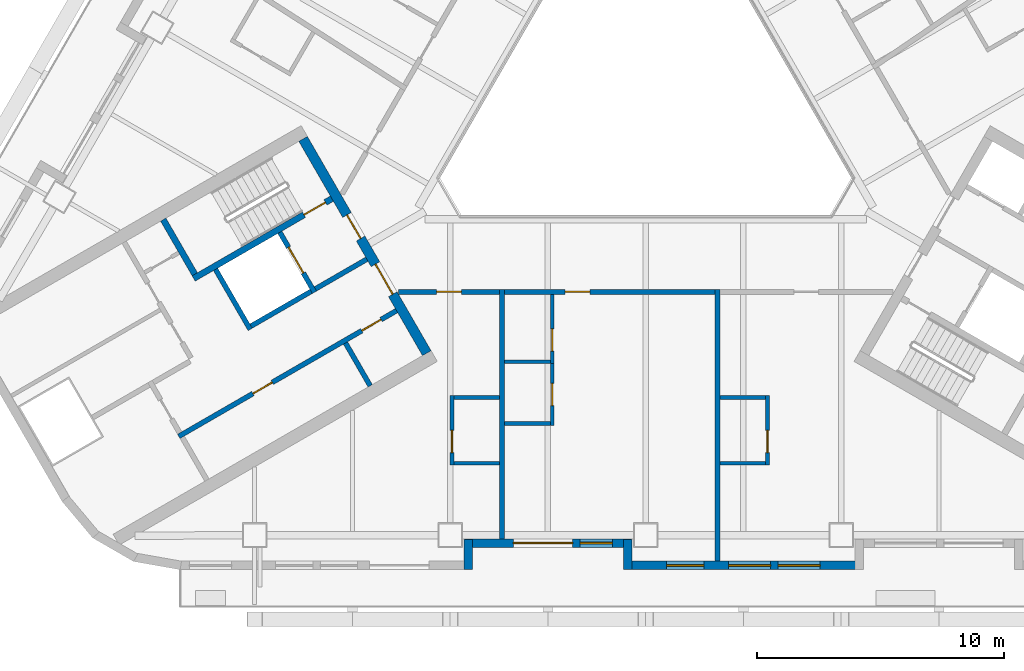
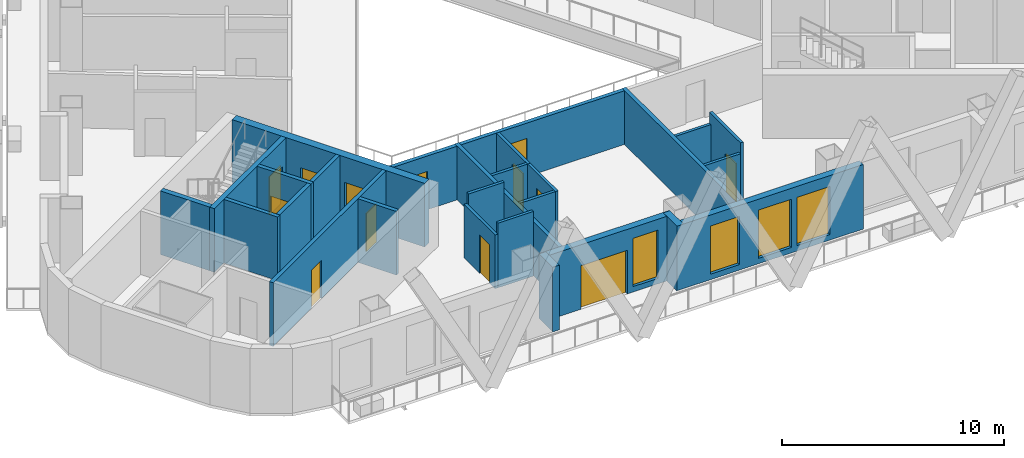
# One storey, part 3 of 14: 27 walls, 13 doors, 4 windows, 17 openings.
"""IFC4 building model written with IfcOpenShell, lengths in metres."""

from ifc_helpers import new_model, si_unit, direction, frame, frame_2d, origin, place, context, subcontext, project, spatial, rectangle, extrude, material, layer, layer_set, type_object, element, fill, save


model = new_model("IFC4")

# Units and contexts
model_context = context("Model", 3, precision=1e-05, world=origin(), true_north=direction((0.0, 1.0)))
body_context = subcontext(model_context, "Body", "Model", "MODEL_VIEW")
ifc_project = project(units=[si_unit("LENGTHUNIT", "METRE"), si_unit("AREAUNIT", "SQUARE_METRE"), si_unit("VOLUMEUNIT", "CUBIC_METRE"), si_unit("PLANEANGLEUNIT", "RADIAN"), si_unit("MASSUNIT", "GRAM", prefix="KILO")], contexts=[model_context])

# Site, building, storey
site_placement = place(None, origin())
site = spatial("IfcSite", under=ifc_project, at=site_placement, CompositionType="ELEMENT")
building_placement = place(site_placement, origin())
building = spatial("IfcBuilding", under=site, at=building_placement, Name="Apuvela Tower Hotel", CompositionType="ELEMENT")
storey_placement = place(building_placement, frame((0.0, 0.0, 53.89990234375)))
storey = spatial("IfcBuildingStorey", under=building, at=storey_placement, Name="L10", CompositionType="ELEMENT", Elevation=53.89990234375)

# Wall, openings, doors
ifc_material_1 = material(Name="Concrete C50/60", Category="concrete")
ifc_layer_1 = layer(ifc_material_1, 0.39990234375)
ifc_layer_set_1 = layer_set([ifc_layer_1], Name="COR-WALL-CORE-400")
wall_type_1 = type_object("IfcWallType", Name="COR-WALL-CORE-400", PredefinedType="SHEAR", material=ifc_layer_set_1)
wall_1_placement = place(storey_placement, frame((-13.844970703125, -2.219970703125, 0.0), z_axis=(0.0, 0.0, 1.0), x_axis=(0.500004234368, -0.866022959057, 0.0)))
wall_1 = element("IfcWall", 1, at=wall_1_placement, inside=storey, type_object=wall_type_1, Name="Core wall SW", PredefinedType="SHEAR", context=body_context, shape_type="SweptSolid", body=[
    extrude(rectangle(XDim=10.0, YDim=0.39990234375, at=frame_2d((5.0, 0.0))), origin(), (0.0, 0.0, 1.0), 3.5),
])
opening_1_placement = place(wall_1_placement, frame((3.550048828125, 0.0, 0.0)))
opening_1 = element("IfcOpeningElement", 2, at=opening_1_placement, cuts=wall_1, Name="Opening W-FD", PredefinedType="OPENING", context=body_context, shape_type="SweptSolid", body=[
    extrude(rectangle(XDim=1.10009765625, YDim=2.10009765625, at=frame_2d((0.550048828125, 1.050048828125))), frame((0.0, 0.2099609375, 0.0), z_axis=(0.0, -1.0, 0.0), x_axis=(1.0, 0.0, 0.0)), (0.0, 0.0, 1.0), 0.419921875),
])
opening_2_placement = place(wall_1_placement, frame((5.85009765625, 0.0, 0.0)))
opening_2 = element("IfcOpeningElement", 3, at=opening_2_placement, cuts=wall_1, Name="Opening W-GD", PredefinedType="OPENING", context=body_context, shape_type="SweptSolid", body=[
    extrude(rectangle(XDim=1.39990234375, YDim=2.10009765625, at=frame_2d((0.699951171875, 1.050048828125))), frame((0.0, 0.2099609375, 0.0), z_axis=(0.0, -1.0, 0.0), x_axis=(1.0, 0.0, 0.0)), (0.0, 0.0, 1.0), 0.419921875),
])
ifc_material_2 = material(Name="Steel fire door, powder coated", Category="steel")
door_type_1 = type_object("IfcDoorType", Name="COR-FD-1100", OperationType="NOTDEFINED", PredefinedType="DOOR", material=ifc_material_2)
door_1_placement = place(opening_1_placement, frame((1.10009765625, 0.0, 0.0), z_axis=(0.0, 0.0, 1.0), x_axis=(-1.0, 0.0, 0.0)))
door_1 = element("IfcDoor", 4, at=door_1_placement, inside=storey, type_object=door_type_1, Name="Firefighting lobby door W-FD", OperationType="SINGLE_SWING_LEFT", OverallHeight=2.10009765625, OverallWidth=1.10009765625, PredefinedType="DOOR", context=body_context, shape_type="SweptSolid", body=[
    extrude(rectangle(XDim=1.10009765625, YDim=2.10009765625, at=frame_2d((0.550048828125, 1.050048828125))), frame((0.0, 0.02490234375, 0.0), z_axis=(0.0, -1.0, 0.0), x_axis=(1.0, 0.0, 0.0)), (0.0, 0.0, 1.0), 0.050048828125),
])
fill(opening_1, door_1)
ifc_material_3 = material(Name="Glazed steel fire door", Category="steel")
door_type_2 = type_object("IfcDoorType", Name="COR-GD-1400", OperationType="DOUBLE_DOOR_SINGLE_SWING", PredefinedType="DOOR", material=ifc_material_3)
door_2_placement = place(opening_2_placement, frame((1.39990234375, 0.0, 0.0), z_axis=(0.0, 0.0, 1.0), x_axis=(-1.0, 0.0, 0.0)))
door_2 = element("IfcDoor", 5, at=door_2_placement, inside=storey, type_object=door_type_2, Name="Lift lobby door W-GD", OperationType="DOUBLE_DOOR_SINGLE_SWING", OverallHeight=2.10009765625, OverallWidth=1.39990234375, PredefinedType="DOOR", context=body_context, shape_type="SweptSolid", body=[
    extrude(rectangle(XDim=1.39990234375, YDim=2.10009765625, at=frame_2d((0.699951171875, 1.050048828125))), frame((0.0, 0.02490234375, 0.0), z_axis=(0.0, -1.0, 0.0), x_axis=(1.0, 0.0, 0.0)), (0.0, 0.0, 1.0), 0.050048828125),
])
fill(opening_2, door_2)

# Wall
ifc_layer_2 = layer(ifc_material_1, 0.199951171875)
ifc_layer_set_2 = layer_set([ifc_layer_2], Name="COR-WALL-SHAFT-200")
wall_type_2 = type_object("IfcWallType", Name="COR-WALL-SHAFT-200", PredefinedType="SHEAR", material=ifc_layer_set_2)
wall_2_placement = place(storey_placement, frame((-17.38134765625, -7.49462890625, 0.0), z_axis=(0.0, 0.0, 1.0), x_axis=(0.500011755427, -0.866018616679, 0.0)))
element("IfcWall", 6, at=wall_2_placement, inside=storey, type_object=wall_type_2, Name="Shaft wall SW", PredefinedType="SHEAR", context=body_context, shape_type="SweptSolid", body=[
    extrude(rectangle(XDim=2.80029296875, YDim=0.199951171875, at=frame_2d((1.400146484375, 0.0))), origin(), (0.0, 0.0, 1.0), 3.5),
])

# Wall, opening, door
wall_3_placement = place(storey_placement, frame((-14.783203125, -5.99462890625, 0.0), z_axis=(0.0, 0.0, 1.0), x_axis=(0.49994636267, -0.866056369097, 0.0)))
wall_3 = element("IfcWall", 7, at=wall_3_placement, inside=storey, type_object=wall_type_2, Name="Shaft wall SW", PredefinedType="SHEAR", context=body_context, shape_type="SweptSolid", body=[
    extrude(rectangle(XDim=2.800048828125, YDim=0.199951171875, at=frame_2d((1.39990234375, 0.0))), origin(), (0.0, 0.0, 1.0), 3.5),
])
opening_3_placement = place(wall_3_placement, frame((0.699951171875, 0.0, 0.0)))
opening_3 = element("IfcOpeningElement", 8, at=opening_3_placement, cuts=wall_3, Name="Opening W-LD-FS2", PredefinedType="OPENING", context=body_context, shape_type="SweptSolid", body=[
    extrude(rectangle(XDim=1.199951171875, YDim=2.10009765625, at=frame_2d((0.60009765625, 1.050048828125))), frame((0.0, 0.10986328125, 0.0), z_axis=(0.0, -1.0, 0.0), x_axis=(1.0, 0.0, 0.0)), (0.0, 0.0, 1.0), 0.219970703125),
])
ifc_material_4 = material(Name="Stainless steel lift landing door", Category="steel")
door_type_3 = type_object("IfcDoorType", Name="COR-LD-1200", OperationType="DOUBLE_DOOR_SLIDING", PredefinedType="DOOR", material=ifc_material_4)
door_3_placement = place(opening_3_placement, origin())
door_3 = element("IfcDoor", 9, at=door_3_placement, inside=storey, type_object=door_type_3, Name="Lift landing door W-LD-FS2", OperationType="DOUBLE_DOOR_SLIDING", OverallHeight=2.10009765625, OverallWidth=1.199951171875, PredefinedType="DOOR", context=body_context, shape_type="SweptSolid", body=[
    extrude(rectangle(XDim=1.199951171875, YDim=2.10009765625, at=frame_2d((0.60009765625, 1.050048828125))), frame((0.0, 0.02490234375, 0.0), z_axis=(0.0, -1.0, 0.0), x_axis=(1.0, 0.0, 0.0)), (0.0, 0.0, 1.0), 0.050048828125),
])
fill(opening_3, door_3)

# Walls
wall_4_placement = place(storey_placement, frame((-13.519775390625, -8.383056640625, 0.0), z_axis=(0.0, 0.0, 1.0), x_axis=(-0.866034573852, -0.49998411664, 0.0)))
element("IfcWall", 10, at=wall_4_placement, inside=storey, type_object=wall_type_2, Name="Shaft wall SW", PredefinedType="SHEAR", context=body_context, shape_type="SweptSolid", body=[
    extrude(rectangle(XDim=2.7998046875, YDim=0.199951171875, at=frame_2d((1.39990234375, 0.0))), origin(), (0.0, 0.0, 1.0), 3.5),
])
wall_5_placement = place(storey_placement, frame((-11.26806640625, -7.0830078125, 0.0), z_axis=(0.0, 0.0, 1.0), x_axis=(-0.866050077142, -0.499957262057, 0.0)))
element("IfcWall", 11, at=wall_5_placement, inside=storey, type_object=wall_type_2, Name="Shaft wall SW", PredefinedType="SHEAR", context=body_context, shape_type="SweptSolid", body=[
    extrude(rectangle(XDim=2.400146484375, YDim=0.199951171875, at=frame_2d((1.2001953125, 0.0))), origin(), (0.0, 0.0, 1.0), 3.5),
])

# Wall, openings, doors
wall_6_placement = place(storey_placement, frame((-10.068115234375, -9.16162109375, 0.0), z_axis=(0.0, 0.0, 1.0), x_axis=(-0.866032725843, -0.499987317609, 0.0)))
wall_6 = element("IfcWall", 12, at=wall_6_placement, inside=storey, type_object=wall_type_2, Name="Shaft wall SW", PredefinedType="SHEAR", context=body_context, shape_type="SweptSolid", body=[
    extrude(rectangle(XDim=10.159912109375, YDim=0.199951171875, at=frame_2d((5.080078125, 0.0))), origin(), (0.0, 0.0, 1.0), 3.5),
])
opening_4_placement = place(wall_6_placement, frame((0.719970703125, 0.0, 0.0)))
opening_4 = element("IfcOpeningElement", 13, at=opening_4_placement, cuts=wall_6, Name="Opening W-RE1", PredefinedType="OPENING", context=body_context, shape_type="SweptSolid", body=[
    extrude(rectangle(XDim=0.89990234375, YDim=2.10009765625, at=frame_2d((0.449951171875, 1.050048828125))), frame((0.0, 0.10986328125, 0.0), z_axis=(0.0, -1.0, 0.0), x_axis=(1.0, 0.0, 0.0)), (0.0, 0.0, 1.0), 0.219970703125),
])
opening_5_placement = place(wall_6_placement, frame((5.800048828125, 0.0, 0.0)))
opening_5 = element("IfcOpeningElement", 14, at=opening_5_placement, cuts=wall_6, Name="Opening W-RE2", PredefinedType="OPENING", context=body_context, shape_type="SweptSolid", body=[
    extrude(rectangle(XDim=0.89990234375, YDim=2.10009765625, at=frame_2d((0.449951171875, 1.050048828125))), frame((0.0, 0.10986328125, 0.0), z_axis=(0.0, -1.0, 0.0), x_axis=(1.0, 0.0, 0.0)), (0.0, 0.0, 1.0), 0.219970703125),
])
door_type_4 = type_object("IfcDoorType", Name="COR-DR-900", OperationType="NOTDEFINED", PredefinedType="DOOR", material=ifc_material_2)
door_4_placement = place(opening_4_placement, origin())
door_4 = element("IfcDoor", 15, at=door_4_placement, inside=storey, type_object=door_type_4, Name="Store door W-RE1", OperationType="SINGLE_SWING_LEFT", OverallHeight=2.10009765625, OverallWidth=0.89990234375, PredefinedType="DOOR", context=body_context, shape_type="SweptSolid", body=[
    extrude(rectangle(XDim=0.89990234375, YDim=2.10009765625, at=frame_2d((0.449951171875, 1.050048828125))), frame((0.0, 0.02490234375, 0.0), z_axis=(0.0, -1.0, 0.0), x_axis=(1.0, 0.0, 0.0)), (0.0, 0.0, 1.0), 0.050048828125),
])
fill(opening_4, door_4)
door_5_placement = place(opening_5_placement, origin())
door_5 = element("IfcDoor", 16, at=door_5_placement, inside=storey, type_object=door_type_4, Name="Store door W-RE2", OperationType="SINGLE_SWING_RIGHT", OverallHeight=2.10009765625, OverallWidth=0.89990234375, PredefinedType="DOOR", context=body_context, shape_type="SweptSolid", body=[
    extrude(rectangle(XDim=0.89990234375, YDim=2.10009765625, at=frame_2d((0.449951171875, 1.050048828125))), frame((0.0, 0.02490234375, 0.0), z_axis=(0.0, -1.0, 0.0), x_axis=(1.0, 0.0, 0.0)), (0.0, 0.0, 1.0), 0.050048828125),
])
fill(opening_5, door_5)

# Wall
wall_7_placement = place(storey_placement, frame((-12.131103515625, -10.468017578125, 0.0), z_axis=(0.0, 0.0, 1.0), x_axis=(0.499972520799, -0.866041268327, 0.0)))
element("IfcWall", 17, at=wall_7_placement, inside=storey, type_object=wall_type_2, Name="Shaft wall SW", PredefinedType="SHEAR", context=body_context, shape_type="SweptSolid", body=[
    extrude(rectangle(XDim=2.0, YDim=0.199951171875, at=frame_2d((1.0, 0.0))), origin(), (0.0, 0.0, 1.0), 3.5),
])

# Wall, opening, door
ifc_layer_3 = layer(ifc_material_1, 0.25)
ifc_layer_set_3 = layer_set([ifc_layer_3], Name="COR-WALL-STAIR-250")
wall_type_3 = type_object("IfcWallType", Name="COR-WALL-STAIR-250", PredefinedType="SHEAR", material=ifc_layer_set_3)
wall_8_placement = place(storey_placement, frame((-12.6806640625, -4.636474609375, 0.0), z_axis=(0.0, 0.0, 1.0), x_axis=(-0.866021702275, -0.500006411147, 0.0)))
wall_8 = element("IfcWall", 18, at=wall_8_placement, inside=storey, type_object=wall_type_3, Name="Stair wall SW", PredefinedType="SHEAR", context=body_context, shape_type="SweptSolid", body=[
    extrude(rectangle(XDim=6.4501953125, YDim=0.25, at=frame_2d((3.22509765625, 0.0))), origin(), (0.0, 0.0, 1.0), 3.5),
])
opening_6_placement = place(wall_8_placement, frame((0.300048828125, 0.0, 0.0)))
opening_6 = element("IfcOpeningElement", 19, at=opening_6_placement, cuts=wall_8, Name="Opening W-SD", PredefinedType="OPENING", context=body_context, shape_type="SweptSolid", body=[
    extrude(rectangle(XDim=1.0, YDim=2.10009765625, at=frame_2d((0.5, 1.050048828125))), frame((0.0, 0.135009765625, 0.0), z_axis=(0.0, -1.0, 0.0), x_axis=(1.0, 0.0, 0.0)), (0.0, 0.0, 1.0), 0.27001953125),
])
door_type_5 = type_object("IfcDoorType", Name="COR-SD-1000", OperationType="NOTDEFINED", PredefinedType="DOOR", material=ifc_material_2)
door_6_placement = place(opening_6_placement, frame((1.0, 0.0, 0.0), z_axis=(0.0, 0.0, 1.0), x_axis=(-1.0, 0.0, 0.0)))
door_6 = element("IfcDoor", 20, at=door_6_placement, inside=storey, type_object=door_type_5, Name="Stair door W-SD", OperationType="SINGLE_SWING_LEFT", OverallHeight=2.10009765625, OverallWidth=1.0, PredefinedType="DOOR", context=body_context, shape_type="SweptSolid", body=[
    extrude(rectangle(XDim=1.0, YDim=2.10009765625, at=frame_2d((0.5, 1.050048828125))), frame((0.0, 0.02490234375, 0.0), z_axis=(0.0, -1.0, 0.0), x_axis=(1.0, 0.0, 0.0)), (0.0, 0.0, 1.0), 0.050048828125),
])
fill(opening_6, door_6)

# Walls
wall_9_placement = place(storey_placement, frame((-19.49560546875, -5.482421875, 0.0), z_axis=(0.0, 0.0, 1.0), x_axis=(0.499990435942, -0.866030925526, 0.0)))
element("IfcWall", 21, at=wall_9_placement, inside=storey, type_object=wall_type_3, Name="Stair wall SW", PredefinedType="SHEAR", context=body_context, shape_type="SweptSolid", body=[
    extrude(rectangle(XDim=2.5498046875, YDim=0.25, at=frame_2d((1.27490234375, 0.0))), origin(), (0.0, 0.0, 1.0), 3.5),
])
ifc_material_5 = material(Name="Concrete C40/50, dark pigmented precast panel", Category="concrete")
ifc_layer_4 = layer(ifc_material_5, 0.35009765625)
ifc_layer_set_4 = layer_set([ifc_layer_4], Name="ENV-WALL-350")
wall_type_4 = type_object("IfcWallType", Name="ENV-WALL-350", PredefinedType="SOLIDWALL", material=ifc_layer_set_4)
wall_10_placement = place(storey_placement, frame((-7.175048828125, -19.6298828125, 0.0), z_axis=(0.0, 0.0, 1.0), x_axis=(0.0, 1.0, 0.0)))
element("IfcWall", 22, at=wall_10_placement, inside=storey, type_object=wall_type_4, Name="External wall L10-18", PredefinedType="SOLIDWALL", context=body_context, shape_type="SweptSolid", body=[
    extrude(rectangle(XDim=1.219970703125, YDim=0.35009765625, at=frame_2d((0.60986328125, 0.0))), origin(), (0.0, 0.0, 1.0), 3.550048828125),
])

# Wall, openings, door, window
wall_11_placement = place(storey_placement, frame((-7.320068359375, -18.554931640625, 0.0), z_axis=(0.0, 0.0, 1.0), x_axis=(1.0, 0.0, 0.0)))
wall_11 = element("IfcWall", 23, at=wall_11_placement, inside=storey, type_object=wall_type_4, Name="External wall L10-19", PredefinedType="SOLIDWALL", context=body_context, shape_type="SweptSolid", body=[
    extrude(rectangle(XDim=6.739990234375, YDim=0.35009765625, at=frame_2d((3.3701171875, 0.0))), origin(), (0.0, 0.0, 1.0), 3.550048828125),
])
opening_7_placement = place(wall_11_placement, frame((1.9697265625, 0.0, 0.0)))
opening_7 = element("IfcOpeningElement", 24, at=opening_7_placement, cuts=wall_11, Name="Opening BD24", PredefinedType="OPENING", context=body_context, shape_type="SweptSolid", body=[
    extrude(rectangle(XDim=2.39990234375, YDim=2.39990234375, at=frame_2d((1.199951171875, 1.199951171875))), frame((0.0, 0.18505859375, 0.0), z_axis=(0.0, -1.0, 0.0), x_axis=(1.0, 0.0, 0.0)), (0.0, 0.0, 1.0), 0.3701171875),
])
opening_8_placement = place(wall_11_placement, frame((4.669921875, 0.0, 0.300048828125)))
opening_8 = element("IfcOpeningElement", 25, at=opening_8_placement, cuts=wall_11, Name="Opening WN13", PredefinedType="OPENING", context=body_context, shape_type="SweptSolid", body=[
    extrude(rectangle(XDim=1.300048828125, YDim=2.64990234375, at=frame_2d((0.64990234375, 1.324951171875))), frame((0.0, 0.18505859375, 0.0), z_axis=(0.0, -1.0, 0.0), x_axis=(1.0, 0.0, 0.0)), (0.0, 0.0, 1.0), 0.3701171875),
])
ifc_material_6 = material(Name="Aluminium 6063-T6, dark bronze anodised frame with dark tinted laminated glass", Category="aluminium")
door_type_6 = type_object("IfcDoorType", Name="ENV-DOOR-BALCONY-2400x2400", OperationType="SLIDING_TO_LEFT", PredefinedType="DOOR", material=ifc_material_6)
door_7_placement = place(opening_7_placement, frame((2.39990234375, 0.0, 0.0), z_axis=(0.0, 0.0, 1.0), x_axis=(-1.0, 0.0, 0.0)))
door_7 = element("IfcDoor", 26, at=door_7_placement, inside=storey, type_object=door_type_6, Name="Balcony door BD24", OperationType="SLIDING_TO_LEFT", OverallHeight=2.39990234375, OverallWidth=2.39990234375, PredefinedType="DOOR", context=body_context, shape_type="SweptSolid", body=[
    extrude(rectangle(XDim=2.39990234375, YDim=2.39990234375, at=frame_2d((1.199951171875, 1.199951171875))), frame((0.0, 0.02490234375, 0.0), z_axis=(0.0, -1.0, 0.0), x_axis=(1.0, 0.0, 0.0)), (0.0, 0.0, 1.0), 0.050048828125),
])
fill(opening_7, door_7)
ifc_material_7 = material(Name="Glass, dark tinted laminated insulated glazing unit", Category="glass")
window_type_1 = type_object("IfcWindowType", Name="ENV-WIN-1300x2650", PartitioningType="SINGLE_PANEL", PredefinedType="WINDOW", material=ifc_material_7)
window_1_placement = place(opening_8_placement, origin())
window_1 = element("IfcWindow", 27, at=window_1_placement, inside=storey, type_object=window_type_1, Name="Window WN13", OverallHeight=2.64990234375, OverallWidth=1.300048828125, PartitioningType="SINGLE_PANEL", PredefinedType="WINDOW", context=body_context, shape_type="SweptSolid", body=[
    extrude(rectangle(XDim=1.300048828125, YDim=2.64990234375, at=frame_2d((0.64990234375, 1.324951171875))), frame((0.0, 0.030029296875, 0.0), z_axis=(0.0, -1.0, 0.0), x_axis=(1.0, 0.0, 0.0)), (0.0, 0.0, 1.0), 0.06005859375),
])
fill(opening_8, window_1)

# Wall
wall_12_placement = place(storey_placement, frame((-0.72509765625, -18.409912109375, 0.0), z_axis=(0.0, 0.0, 1.0), x_axis=(0.0, -1.0, 0.0)))
element("IfcWall", 28, at=wall_12_placement, inside=storey, type_object=wall_type_4, Name="External wall L10-20", PredefinedType="SOLIDWALL", context=body_context, shape_type="SweptSolid", body=[
    extrude(rectangle(XDim=1.219970703125, YDim=0.35009765625, at=frame_2d((0.60986328125, 0.0))), origin(), (0.0, 0.0, 1.0), 3.550048828125),
])

# Wall, openings, windows
wall_13_placement = place(storey_placement, frame((-0.89990234375, -19.455078125, 0.0), z_axis=(0.0, 0.0, 1.0), x_axis=(1.0, 0.0, 0.0)))
wall_13 = element("IfcWall", 29, at=wall_13_placement, inside=storey, type_object=wall_type_4, Name="External wall L10-21", PredefinedType="SOLIDWALL", context=body_context, shape_type="SweptSolid", body=[
    extrude(rectangle(XDim=9.699951171875, YDim=0.35009765625, at=frame_2d((4.85009765625, 0.0))), origin(), (0.0, 0.0, 1.0), 3.550048828125),
])
opening_9_placement = place(wall_13_placement, frame((1.75, 0.0, 0.300048828125)))
opening_9 = element("IfcOpeningElement", 30, at=opening_9_placement, cuts=wall_13, Name="Opening WN15", PredefinedType="OPENING", context=body_context, shape_type="SweptSolid", body=[
    extrude(rectangle(XDim=1.5, YDim=2.64990234375, at=frame_2d((0.75, 1.324951171875))), frame((0.0, 0.18505859375, 0.0), z_axis=(0.0, -1.0, 0.0), x_axis=(1.0, 0.0, 0.0)), (0.0, 0.0, 1.0), 0.3701171875),
])
opening_10_placement = place(wall_13_placement, frame((4.25, 0.0, 0.300048828125)))
opening_10 = element("IfcOpeningElement", 31, at=opening_10_placement, cuts=wall_13, Name="Opening WN17", PredefinedType="OPENING", context=body_context, shape_type="SweptSolid", body=[
    extrude(rectangle(XDim=1.699951171875, YDim=2.64990234375, at=frame_2d((0.85009765625, 1.324951171875))), frame((0.0, 0.18505859375, 0.0), z_axis=(0.0, -1.0, 0.0), x_axis=(1.0, 0.0, 0.0)), (0.0, 0.0, 1.0), 0.3701171875),
])
opening_11_placement = place(wall_13_placement, frame((6.25, 0.0, 0.300048828125)))
opening_11 = element("IfcOpeningElement", 32, at=opening_11_placement, cuts=wall_13, Name="Opening WN17", PredefinedType="OPENING", context=body_context, shape_type="SweptSolid", body=[
    extrude(rectangle(XDim=1.699951171875, YDim=2.64990234375, at=frame_2d((0.85009765625, 1.324951171875))), frame((0.0, 0.18505859375, 0.0), z_axis=(0.0, -1.0, 0.0), x_axis=(1.0, 0.0, 0.0)), (0.0, 0.0, 1.0), 0.3701171875),
])
window_type_2 = type_object("IfcWindowType", Name="ENV-WIN-1500x2650", PartitioningType="SINGLE_PANEL", PredefinedType="WINDOW", material=ifc_material_7)
window_2_placement = place(opening_9_placement, origin())
window_2 = element("IfcWindow", 33, at=window_2_placement, inside=storey, type_object=window_type_2, Name="Window WN15", OverallHeight=2.64990234375, OverallWidth=1.5, PartitioningType="SINGLE_PANEL", PredefinedType="WINDOW", context=body_context, shape_type="SweptSolid", body=[
    extrude(rectangle(XDim=1.5, YDim=2.64990234375, at=frame_2d((0.75, 1.324951171875))), frame((0.0, 0.030029296875, 0.0), z_axis=(0.0, -1.0, 0.0), x_axis=(1.0, 0.0, 0.0)), (0.0, 0.0, 1.0), 0.06005859375),
])
fill(opening_9, window_2)
window_type_3 = type_object("IfcWindowType", Name="ENV-WIN-1700x2650", PartitioningType="SINGLE_PANEL", PredefinedType="WINDOW", material=ifc_material_7)
window_3_placement = place(opening_10_placement, origin())
window_3 = element("IfcWindow", 34, at=window_3_placement, inside=storey, type_object=window_type_3, Name="Window WN17", OverallHeight=2.64990234375, OverallWidth=1.699951171875, PartitioningType="SINGLE_PANEL", PredefinedType="WINDOW", context=body_context, shape_type="SweptSolid", body=[
    extrude(rectangle(XDim=1.699951171875, YDim=2.64990234375, at=frame_2d((0.85009765625, 1.324951171875))), frame((0.0, 0.030029296875, 0.0), z_axis=(0.0, -1.0, 0.0), x_axis=(1.0, 0.0, 0.0)), (0.0, 0.0, 1.0), 0.06005859375),
])
fill(opening_10, window_3)
window_4_placement = place(opening_11_placement, origin())
window_4 = element("IfcWindow", 35, at=window_4_placement, inside=storey, type_object=window_type_3, Name="Window WN17", OverallHeight=2.64990234375, OverallWidth=1.699951171875, PartitioningType="SINGLE_PANEL", PredefinedType="WINDOW", context=body_context, shape_type="SweptSolid", body=[
    extrude(rectangle(XDim=1.699951171875, YDim=2.64990234375, at=frame_2d((0.85009765625, 1.324951171875))), frame((0.0, 0.030029296875, 0.0), z_axis=(0.0, -1.0, 0.0), x_axis=(1.0, 0.0, 0.0)), (0.0, 0.0, 1.0), 0.06005859375),
])
fill(opening_11, window_4)

# Walls
ifc_material_8 = material(Name="Gypsum board partition on twin steel stud", Category="steel")
ifc_layer_5 = layer(ifc_material_8, 0.199951171875)
ifc_layer_set_5 = layer_set([ifc_layer_5], Name="GST-PW1")
wall_type_5 = type_object("IfcWallType", Name="GST-PW1", PredefinedType="PARTITIONING", material=ifc_layer_set_5)
wall_14_placement = place(storey_placement, frame((-5.800048828125, -18.3798828125, 0.0), z_axis=(0.0, 0.0, 1.0), x_axis=(0.0, 1.0, 0.0)))
element("IfcWall", 36, at=wall_14_placement, inside=storey, type_object=wall_type_5, Name="L10 partition 01", PredefinedType="PARTITIONING", context=body_context, shape_type="SweptSolid", body=[
    extrude(rectangle(XDim=10.079833984375, YDim=0.199951171875, at=frame_2d((5.0400390625, 0.0))), origin(), (0.0, 0.0, 1.0), 2.960205078125),
])
wall_15_placement = place(storey_placement, frame((2.89990234375, -19.280029296875, 0.0), z_axis=(0.0, 0.0, 1.0), x_axis=(0.0, 1.0, 0.0)))
element("IfcWall", 37, at=wall_15_placement, inside=storey, type_object=wall_type_5, Name="L10 partition 02", PredefinedType="PARTITIONING", context=body_context, shape_type="SweptSolid", body=[
    extrude(rectangle(XDim=10.97998046875, YDim=0.199951171875, at=frame_2d((5.489990234375, 0.0))), origin(), (0.0, 0.0, 1.0), 2.960205078125),
])

# Wall, opening, door
ifc_material_9 = material(Name="Gypsum board corridor wall on twin steel stud, acoustic", Category="steel")
ifc_layer_6 = layer(ifc_material_9, 0.199951171875)
ifc_layer_set_6 = layer_set([ifc_layer_6], Name="GST-PW2")
wall_type_6 = type_object("IfcWallType", Name="GST-PW2", PredefinedType="PARTITIONING", material=ifc_layer_set_6)
wall_16_placement = place(storey_placement, frame((-5.89990234375, -8.39990234375, 0.0), z_axis=(0.0, 0.0, 1.0), x_axis=(-1.0, 0.0, 0.0)))
wall_16 = element("IfcWall", 38, at=wall_16_placement, inside=storey, type_object=wall_type_6, Name="L10 partition 08", PredefinedType="PARTITIONING", context=body_context, shape_type="SweptSolid", body=[
    extrude(rectangle(XDim=4.08837890625, YDim=0.199951171875, at=frame_2d((2.044189453125, 0.0))), origin(), (0.0, 0.0, 1.0), 2.9501953125),
])
opening_12_placement = place(wall_16_placement, frame((1.544189453125, 0.0, 0.0)))
opening_12 = element("IfcOpeningElement", 39, at=opening_12_placement, cuts=wall_16, Name="Opening GD02-02", PredefinedType="OPENING", context=body_context, shape_type="SweptSolid", body=[
    extrude(rectangle(XDim=1.0, YDim=2.10009765625, at=frame_2d((0.5, 1.050048828125))), frame((0.0, 0.10986328125, 0.0), z_axis=(0.0, -1.0, 0.0), x_axis=(1.0, 0.0, 0.0)), (0.0, 0.0, 1.0), 0.219970703125),
])
ifc_material_10 = material(Name="Timber door leaf in steel frame", Category="steel")
door_type_7 = type_object("IfcDoorType", Name="GST-D1", OperationType="NOTDEFINED", PredefinedType="DOOR", material=ifc_material_10)
door_8_placement = place(opening_12_placement, origin())
door_8 = element("IfcDoor", 40, at=door_8_placement, inside=storey, type_object=door_type_7, Name="Door L10-02", OperationType="SINGLE_SWING_LEFT", OverallHeight=2.10009765625, OverallWidth=1.0, PredefinedType="DOOR", context=body_context, shape_type="SweptSolid", body=[
    extrude(rectangle(XDim=1.0, YDim=2.10009765625, at=frame_2d((0.5, 1.050048828125))), frame((0.0, 0.02490234375, 0.0), z_axis=(0.0, -1.0, 0.0), x_axis=(1.0, 0.0, 0.0)), (0.0, 0.0, 1.0), 0.050048828125),
])
fill(opening_12, door_8)

wall_17_placement = place(storey_placement, frame((2.800048828125, -8.39990234375, 0.0), z_axis=(0.0, 0.0, 1.0), x_axis=(-1.0, 0.0, 0.0)))
wall_17 = element("IfcWall", 41, at=wall_17_placement, inside=storey, type_object=wall_type_6, Name="L10 partition 12", PredefinedType="PARTITIONING", context=body_context, shape_type="SweptSolid", body=[
    extrude(rectangle(XDim=8.5, YDim=0.199951171875, at=frame_2d((4.25, 0.0))), origin(), (0.0, 0.0, 1.0), 2.9501953125),
])
opening_13_placement = place(wall_17_placement, frame((5.050048828125, 0.0, 0.0)))
opening_13 = element("IfcOpeningElement", 42, at=opening_13_placement, cuts=wall_17, Name="Opening GD02-05", PredefinedType="OPENING", context=body_context, shape_type="SweptSolid", body=[
    extrude(rectangle(XDim=1.0, YDim=2.10009765625, at=frame_2d((0.5, 1.050048828125))), frame((0.0, 0.10986328125, 0.0), z_axis=(0.0, -1.0, 0.0), x_axis=(1.0, 0.0, 0.0)), (0.0, 0.0, 1.0), 0.219970703125),
])
door_9_placement = place(opening_13_placement, origin())
door_9 = element("IfcDoor", 43, at=door_9_placement, inside=storey, type_object=door_type_7, Name="Door L10-05", OperationType="SINGLE_SWING_LEFT", OverallHeight=2.10009765625, OverallWidth=1.0, PredefinedType="DOOR", context=body_context, shape_type="SweptSolid", body=[
    extrude(rectangle(XDim=1.0, YDim=2.10009765625, at=frame_2d((0.5, 1.050048828125))), frame((0.0, 0.02490234375, 0.0), z_axis=(0.0, -1.0, 0.0), x_axis=(1.0, 0.0, 0.0)), (0.0, 0.0, 1.0), 0.050048828125),
])
fill(opening_13, door_9)

ifc_material_11 = material(Name="Moisture-resistant gypsum board wet wall on steel stud", Category="steel")
ifc_layer_7 = layer(ifc_material_11, 0.14990234375)
ifc_layer_set_7 = layer_set([ifc_layer_7], Name="GST-PW3")
wall_type_7 = type_object("IfcWallType", Name="GST-PW3", PredefinedType="PARTITIONING", material=ifc_layer_set_7)
wall_18_placement = place(storey_placement, frame((-7.824951171875, -12.60009765625, 0.0), z_axis=(0.0, 0.0, 1.0), x_axis=(0.0, -1.0, 0.0)))
wall_18 = element("IfcWall", 44, at=wall_18_placement, inside=storey, type_object=wall_type_7, Name="L10 partition 09", PredefinedType="PARTITIONING", context=body_context, shape_type="SweptSolid", body=[
    extrude(rectangle(XDim=2.7998046875, YDim=0.14990234375, at=frame_2d((1.39990234375, 0.0))), origin(), (0.0, 0.0, 1.0), 2.9501953125),
])
opening_14_placement = place(wall_18_placement, frame((1.39990234375, 0.0, 0.0)))
opening_14 = element("IfcOpeningElement", 45, at=opening_14_placement, cuts=wall_18, Name="Opening GD02-01", PredefinedType="OPENING", context=body_context, shape_type="SweptSolid", body=[
    extrude(rectangle(XDim=0.89990234375, YDim=2.10009765625, at=frame_2d((0.449951171875, 1.050048828125))), frame((0.0, 0.0849609375, 0.0), z_axis=(0.0, -1.0, 0.0), x_axis=(1.0, 0.0, 0.0)), (0.0, 0.0, 1.0), 0.169921875),
])
door_type_8 = type_object("IfcDoorType", Name="GST-D2", OperationType="NOTDEFINED", PredefinedType="DOOR", material=ifc_material_10)
door_10_placement = place(opening_14_placement, origin())
door_10 = element("IfcDoor", 46, at=door_10_placement, inside=storey, type_object=door_type_8, Name="Door L10-01", OperationType="SINGLE_SWING_RIGHT", OverallHeight=2.10009765625, OverallWidth=0.89990234375, PredefinedType="DOOR", context=body_context, shape_type="SweptSolid", body=[
    extrude(rectangle(XDim=0.89990234375, YDim=2.10009765625, at=frame_2d((0.449951171875, 1.050048828125))), frame((0.0, 0.02490234375, 0.0), z_axis=(0.0, -1.0, 0.0), x_axis=(1.0, 0.0, 0.0)), (0.0, 0.0, 1.0), 0.050048828125),
])
fill(opening_14, door_10)

# Walls
for number, where, z_axis, x_axis, name in (
    (47, (-7.75, -15.324951171875, 0.0), (0.0, 0.0, 1.0), (1.0, 0.0, 0.0), "L10 partition 10"),
    (48, (-7.75, -12.675048828125, 0.0), (0.0, 0.0, 1.0), (1.0, 0.0, 0.0), "L10 partition 11"),
):
    element("IfcWall", number, at=place(storey_placement, frame(where, z_axis=z_axis, x_axis=x_axis)), inside=storey, type_object=wall_type_7, Name=name, PredefinedType="PARTITIONING", context=body_context, shape_type="SweptSolid", body=[
        extrude(rectangle(XDim=1.85009765625, YDim=0.14990234375, at=frame_2d((0.925048828125, 0.0))), origin(), (0.0, 0.0, 1.0), 3.550048828125),
    ])

# Wall, opening, door
wall_19_placement = place(storey_placement, frame((-3.77490234375, -11.300048828125, 0.0), z_axis=(0.0, 0.0, 1.0), x_axis=(0.0, 1.0, 0.0)))
wall_19 = element("IfcWall", 49, at=wall_19_placement, inside=storey, type_object=wall_type_7, Name="L10 partition 13", PredefinedType="PARTITIONING", context=body_context, shape_type="SweptSolid", body=[
    extrude(rectangle(XDim=2.800048828125, YDim=0.14990234375, at=frame_2d((1.39990234375, 0.0))), origin(), (0.0, 0.0, 1.0), 2.9501953125),
])
opening_15_placement = place(wall_19_placement, frame((0.5, 0.0, 0.0)))
opening_15 = element("IfcOpeningElement", 50, at=opening_15_placement, cuts=wall_19, Name="Opening GD02-03", PredefinedType="OPENING", context=body_context, shape_type="SweptSolid", body=[
    extrude(rectangle(XDim=0.89990234375, YDim=2.10009765625, at=frame_2d((0.449951171875, 1.050048828125))), frame((0.0, 0.0849609375, 0.0), z_axis=(0.0, -1.0, 0.0), x_axis=(1.0, 0.0, 0.0)), (0.0, 0.0, 1.0), 0.169921875),
])
door_11_placement = place(opening_15_placement, origin())
door_11 = element("IfcDoor", 51, at=door_11_placement, inside=storey, type_object=door_type_8, Name="Door L10-03", OperationType="SINGLE_SWING_LEFT", OverallHeight=2.10009765625, OverallWidth=0.89990234375, PredefinedType="DOOR", context=body_context, shape_type="SweptSolid", body=[
    extrude(rectangle(XDim=0.89990234375, YDim=2.10009765625, at=frame_2d((0.449951171875, 1.050048828125))), frame((0.0, 0.02490234375, 0.0), z_axis=(0.0, -1.0, 0.0), x_axis=(1.0, 0.0, 0.0)), (0.0, 0.0, 1.0), 0.050048828125),
])
fill(opening_15, door_11)

# Wall
wall_20_placement = place(storey_placement, frame((-5.699951171875, -11.22509765625, 0.0), z_axis=(0.0, 0.0, 1.0), x_axis=(1.0, 0.0, 0.0)))
element("IfcWall", 52, at=wall_20_placement, inside=storey, type_object=wall_type_7, Name="L10 partition 14", PredefinedType="PARTITIONING", context=body_context, shape_type="SweptSolid", body=[
    extrude(rectangle(XDim=1.849853515625, YDim=0.14990234375, at=frame_2d((0.9248046875, 0.0))), origin(), (0.0, 0.0, 1.0), 2.9501953125),
])

# Wall, opening, door
wall_21_placement = place(storey_placement, frame((-3.77490234375, -13.800048828125, 0.0), z_axis=(0.0, 0.0, 1.0), x_axis=(0.0, 1.0, 0.0)))
wall_21 = element("IfcWall", 53, at=wall_21_placement, inside=storey, type_object=wall_type_7, Name="L10 partition 15", PredefinedType="PARTITIONING", context=body_context, shape_type="SweptSolid", body=[
    extrude(rectangle(XDim=2.5, YDim=0.14990234375, at=frame_2d((1.25, 0.0))), origin(), (0.0, 0.0, 1.0), 2.9501953125),
])
opening_16_placement = place(wall_21_placement, frame((0.800048828125, 0.0, 0.0)))
opening_16 = element("IfcOpeningElement", 54, at=opening_16_placement, cuts=wall_21, Name="Opening GD02-04", PredefinedType="OPENING", context=body_context, shape_type="SweptSolid", body=[
    extrude(rectangle(XDim=0.89990234375, YDim=2.10009765625, at=frame_2d((0.449951171875, 1.050048828125))), frame((0.0, 0.0849609375, 0.0), z_axis=(0.0, -1.0, 0.0), x_axis=(1.0, 0.0, 0.0)), (0.0, 0.0, 1.0), 0.169921875),
])
door_12_placement = place(opening_16_placement, origin())
door_12 = element("IfcDoor", 55, at=door_12_placement, inside=storey, type_object=door_type_8, Name="Door L10-04", OperationType="SINGLE_SWING_LEFT", OverallHeight=2.10009765625, OverallWidth=0.89990234375, PredefinedType="DOOR", context=body_context, shape_type="SweptSolid", body=[
    extrude(rectangle(XDim=0.89990234375, YDim=2.10009765625, at=frame_2d((0.449951171875, 1.050048828125))), frame((0.0, 0.02490234375, 0.0), z_axis=(0.0, -1.0, 0.0), x_axis=(1.0, 0.0, 0.0)), (0.0, 0.0, 1.0), 0.050048828125),
])
fill(opening_16, door_12)

# Wall
wall_22_placement = place(storey_placement, frame((-5.699951171875, -13.72509765625, 0.0), z_axis=(0.0, 0.0, 1.0), x_axis=(1.0, 0.0, 0.0)))
element("IfcWall", 56, at=wall_22_placement, inside=storey, type_object=wall_type_7, Name="L10 partition 16", PredefinedType="PARTITIONING", context=body_context, shape_type="SweptSolid", body=[
    extrude(rectangle(XDim=1.849853515625, YDim=0.14990234375, at=frame_2d((0.9248046875, 0.0))), origin(), (0.0, 0.0, 1.0), 2.9501953125),
])

# Wall, opening, door
wall_23_placement = place(storey_placement, frame((4.925048828125, -15.39990234375, 0.0), z_axis=(0.0, 0.0, 1.0), x_axis=(0.0, 1.0, 0.0)))
wall_23 = element("IfcWall", 57, at=wall_23_placement, inside=storey, type_object=wall_type_7, Name="L10 partition 18", PredefinedType="PARTITIONING", context=body_context, shape_type="SweptSolid", body=[
    extrude(rectangle(XDim=2.7998046875, YDim=0.14990234375, at=frame_2d((1.39990234375, 0.0))), origin(), (0.0, 0.0, 1.0), 3.550048828125),
])
opening_17_placement = place(wall_23_placement, frame((0.5, 0.0, 0.0)))
opening_17 = element("IfcOpeningElement", 58, at=opening_17_placement, cuts=wall_23, Name="Opening GD02-06", PredefinedType="OPENING", context=body_context, shape_type="SweptSolid", body=[
    extrude(rectangle(XDim=0.89990234375, YDim=2.10009765625, at=frame_2d((0.449951171875, 1.050048828125))), frame((0.0, 0.0849609375, 0.0), z_axis=(0.0, -1.0, 0.0), x_axis=(1.0, 0.0, 0.0)), (0.0, 0.0, 1.0), 0.169921875),
])
door_13_placement = place(opening_17_placement, origin())
door_13 = element("IfcDoor", 59, at=door_13_placement, inside=storey, type_object=door_type_8, Name="Door L10-06", OperationType="SINGLE_SWING_LEFT", OverallHeight=2.10009765625, OverallWidth=0.89990234375, PredefinedType="DOOR", context=body_context, shape_type="SweptSolid", body=[
    extrude(rectangle(XDim=0.89990234375, YDim=2.10009765625, at=frame_2d((0.449951171875, 1.050048828125))), frame((0.0, 0.02490234375, 0.0), z_axis=(0.0, -1.0, 0.0), x_axis=(1.0, 0.0, 0.0)), (0.0, 0.0, 1.0), 0.050048828125),
])
fill(opening_17, door_13)

# Walls
for number, where, z_axis, x_axis, name in (
    (60, (3.0, -15.324951171875, 0.0), (0.0, 0.0, 1.0), (1.0, 0.0, 0.0), "L10 partition 19"),
    (61, (3.0, -12.675048828125, 0.0), (0.0, 0.0, 1.0), (1.0, 0.0, 0.0), "L10 partition 20"),
):
    element("IfcWall", number, at=place(storey_placement, frame(where, z_axis=z_axis, x_axis=x_axis)), inside=storey, type_object=wall_type_7, Name=name, PredefinedType="PARTITIONING", context=body_context, shape_type="SweptSolid", body=[
        extrude(rectangle(XDim=1.85009765625, YDim=0.14990234375, at=frame_2d((0.925048828125, 0.0))), origin(), (0.0, 0.0, 1.0), 2.9501953125),
    ])

save(model, "model.ifc")
